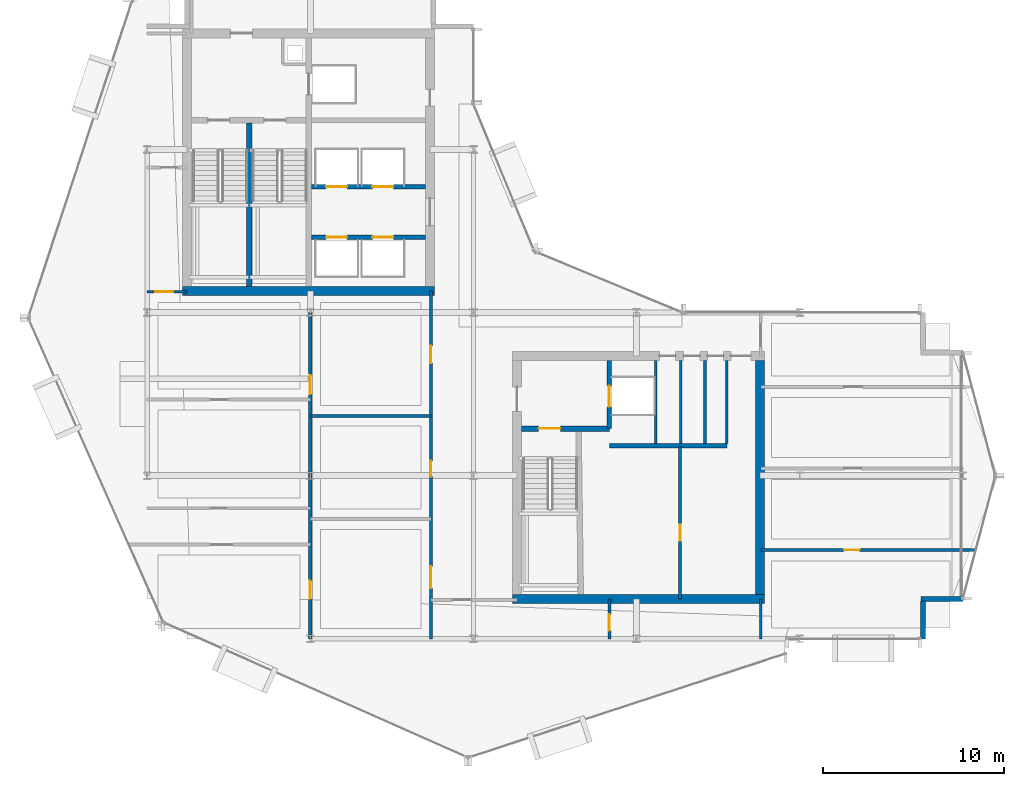
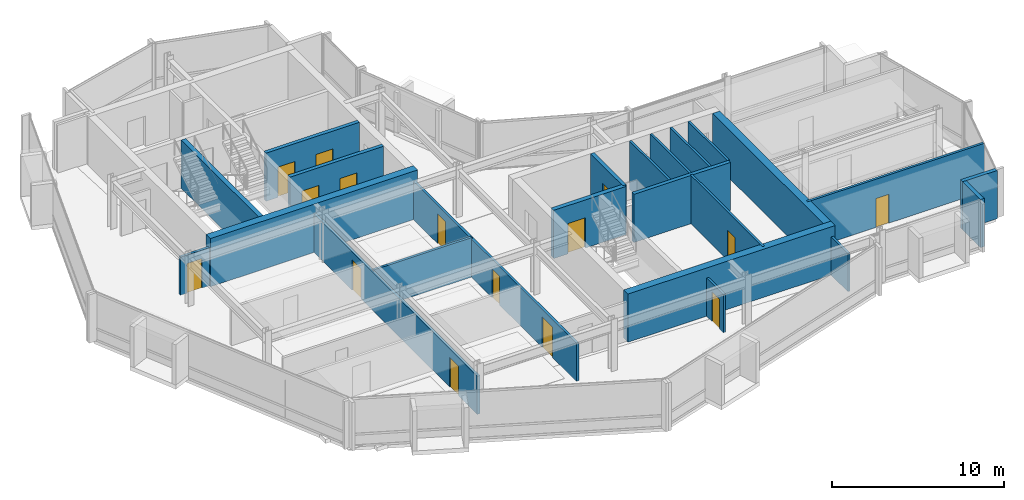
# One storey, part 20 of 28: 23 walls, 15 doors, 15 openings.
"""IFC4 building model written with IfcOpenShell, lengths in metres."""

from ifc_helpers import new_model, si_unit, direction, frame, frame_2d, origin, place, context, subcontext, project, spatial, rectangle, extrude, material, layer, layer_set, type_object, element, fill, save


model = new_model("IFC4")

# Units and contexts
model_context = context("Model", 3, precision=1e-05, world=origin(), true_north=direction((0.0, 1.0)))
body_context = subcontext(model_context, "Body", "Model", "MODEL_VIEW")
ifc_project = project(units=[si_unit("LENGTHUNIT", "METRE"), si_unit("AREAUNIT", "SQUARE_METRE"), si_unit("VOLUMEUNIT", "CUBIC_METRE"), si_unit("PLANEANGLEUNIT", "RADIAN"), si_unit("MASSUNIT", "GRAM", prefix="KILO")], contexts=[model_context])

# Site, building, storey
site_placement = place(None, origin())
site = spatial("IfcSite", under=ifc_project, at=site_placement, CompositionType="ELEMENT")
building_placement = place(site_placement, origin())
building = spatial("IfcBuilding", under=site, at=building_placement, Name="Solvaryn Broadcast Tower", CompositionType="ELEMENT")
storey_placement = place(building_placement, frame((0.0, 0.0, 213.60009765625)))
storey = spatial("IfcBuildingStorey", under=building, at=storey_placement, Name="L53", CompositionType="ELEMENT", Elevation=213.60009765625)

# Walls
ifc_material_1 = material(Name="Concrete f'c 70 MPa", Category="concrete")
ifc_layer_1 = layer(ifc_material_1, 0.5)
ifc_layer_set_1 = layer_set([ifc_layer_1], Name="CW-SHEAR-500")
wall_type_1 = type_object("IfcWallType", Name="CW-SHEAR-500", PredefinedType="SHEAR", material=ifc_layer_set_1)
for number, where, z_axis, x_axis, name in (
    (1, (10.949951171875, 28.199951171875, 0.0), (0.0, 0.0, 1.0), (1.0, 0.0, 0.0), "L53 West Core South Shear Wall"),
    (2, (29.14990234375, 11.199951171875, 0.0), (0.0, 0.0, 1.0), (1.0, 0.0, 0.0), "L53 East Core South Shear Wall"),
):
    element("IfcWall", number, at=place(storey_placement, frame(where, z_axis=z_axis, x_axis=x_axis)), inside=storey, type_object=wall_type_1, Name=name, PredefinedType="SHEAR", context=body_context, shape_type="SweptSolid", body=[
        extrude(rectangle(XDim=13.900146484375, YDim=0.5, at=frame_2d((6.9501953125, 0.0))), origin(), (0.0, 0.0, 1.0), 3.419921875),
    ])
wall_1_placement = place(storey_placement, frame((42.800048828125, 11.449951171875, 0.0), z_axis=(0.0, 0.0, 1.0), x_axis=(0.0, 1.0, 0.0)))
element("IfcWall", 3, at=wall_1_placement, inside=storey, type_object=wall_type_1, Name="L53 East Core East Shear Wall", PredefinedType="SHEAR", context=body_context, shape_type="SweptSolid", body=[
    extrude(rectangle(XDim=12.900146484375, YDim=0.5, at=frame_2d((6.4501953125, 0.0))), origin(), (0.0, 0.0, 1.0), 3.419921875),
])
ifc_material_2 = material(Name="Concrete f'c 50 MPa", Category="concrete")
ifc_layer_2 = layer(ifc_material_2, 0.260009765625)
ifc_layer_set_2 = layer_set([ifc_layer_2], Name="EW-PIER-260")
wall_type_2 = type_object("IfcWallType", Name="EW-PIER-260", PredefinedType="SOLIDWALL", material=ifc_layer_set_2)
wall_2_placement = place(storey_placement, frame((51.800048828125, 9.0, 0.0), z_axis=(0.0, 0.0, 1.0), x_axis=(0.0, 1.0, 0.0)))
element("IfcWall", 4, at=wall_2_placement, inside=storey, type_object=wall_type_2, Name="L53 Notched Corner Pier Wall NSE1", PredefinedType="SOLIDWALL", context=body_context, shape_type="SweptSolid", body=[
    extrude(rectangle(XDim=2.080078125, YDim=0.260009765625, at=frame_2d((1.0400390625, 0.0))), origin(), (0.0, 0.0, 1.0), 3.419921875),
])
wall_3_placement = place(storey_placement, frame((51.679931640625, 11.199951171875, 0.0), z_axis=(0.0, 0.0, 1.0), x_axis=(1.0, 0.0, 0.0)))
element("IfcWall", 5, at=wall_3_placement, inside=storey, type_object=wall_type_2, Name="L53 Notched Corner Pier Wall NSE2", PredefinedType="SOLIDWALL", context=body_context, shape_type="SweptSolid", body=[
    extrude(rectangle(XDim=2.320068359375, YDim=0.260009765625, at=frame_2d((1.16015625, 0.0))), origin(), (0.0, 0.0, 1.0), 3.419921875),
])

# Wall, opening, door
ifc_material_3 = material(Name="Metal-Stud Service Core Partition")
ifc_layer_3 = layer(ifc_material_3, 0.14990234375)
ifc_layer_set_3 = layer_set([ifc_layer_3], Name="IW-PART-150")
wall_type_3 = type_object("IfcWallType", Name="IW-PART-150", PredefinedType="PARTITIONING", material=ifc_layer_set_3)
wall_4_placement = place(storey_placement, frame((38.39990234375, 11.199951171875, 0.0), z_axis=(0.0, 0.0, 1.0), x_axis=(0.0, 1.0, 0.0)))
wall_4 = element("IfcWall", 6, at=wall_4_placement, inside=storey, type_object=wall_type_3, Name="L53 Interior Partition IW-L53-RPM-V", PredefinedType="PARTITIONING", context=body_context, shape_type="SweptSolid", body=[
    extrude(rectangle(XDim=8.400146484375, YDim=0.14990234375, at=frame_2d((4.2001953125, 0.0))), origin(), (0.0, 0.0, 1.0), 3.419921875),
])
opening_1_placement = place(wall_4_placement, frame((3.199951171875, 0.0, 0.0)))
opening_1 = element("IfcOpeningElement", 7, at=opening_1_placement, cuts=wall_4, Name="Opening FD60C", PredefinedType="OPENING", context=body_context, shape_type="SweptSolid", body=[
    extrude(rectangle(XDim=0.89990234375, YDim=2.10009765625, at=frame_2d((0.449951171875, 1.050048828125))), frame((0.0, 0.0849609375, 0.0), z_axis=(0.0, -1.0, 0.0), x_axis=(1.0, 0.0, 0.0)), (0.0, 0.0, 1.0), 0.169921875),
])
ifc_material_4 = material(Name="Flush Acoustic Steel and Timber Door Assembly", Category="steel")
door_type_1 = type_object("IfcDoorType", Name="FD60-SERV-900X2100", OperationType="NOTDEFINED", PredefinedType="DOOR", material=ifc_material_4)
door_1_placement = place(opening_1_placement, origin())
door_1 = element("IfcDoor", 8, at=door_1_placement, inside=storey, type_object=door_type_1, Name="L53 Door DR-L53-RPM1", OperationType="SINGLE_SWING_RIGHT", OverallHeight=2.10009765625, OverallWidth=0.89990234375, PredefinedType="DOOR", context=body_context, shape_type="SweptSolid", body=[
    extrude(rectangle(XDim=0.89990234375, YDim=2.10009765625, at=frame_2d((0.449951171875, 1.050048828125))), frame((0.0, 0.02490234375, 0.0), z_axis=(0.0, -1.0, 0.0), x_axis=(1.0, 0.0, 0.0)), (0.0, 0.0, 1.0), 0.050048828125),
])
fill(opening_1, door_1)

# Walls
for number, where, z_axis, x_axis, name in (
    (9, (37.050048828125, 19.780029296875, 0.0), (0.0, 0.0, 1.0), (0.0, 1.0, 0.0), "L53 Interior Partition IW-L53-CE-FL2E"),
    (10, (38.43994140625, 19.780029296875, 0.0), (0.0, 0.0, 1.0), (0.0, 1.0, 0.0), "L53 Interior Partition IW-L53-CE-V1"),
    (11, (39.77001953125, 19.780029296875, 0.0), (0.0, 0.0, 1.0), (0.0, 1.0, 0.0), "L53 Interior Partition IW-L53-CE-V2"),
    (12, (40.97998046875, 19.780029296875, 0.0), (0.0, 0.0, 1.0), (0.0, 1.0, 0.0), "L53 Interior Partition IW-L53-CE-V3"),
):
    element("IfcWall", number, at=place(storey_placement, frame(where, z_axis=z_axis, x_axis=x_axis)), inside=storey, type_object=wall_type_3, Name=name, PredefinedType="PARTITIONING", context=body_context, shape_type="SweptSolid", body=[
        extrude(rectangle(XDim=4.570068359375, YDim=0.14990234375, at=frame_2d((2.28515625, 0.0))), origin(), (0.0, 0.0, 1.0), 3.419921875),
    ])

# Wall, opening, door
wall_5_placement = place(storey_placement, frame((34.5, 9.0, 0.0), z_axis=(0.0, 0.0, 1.0), x_axis=(0.0, 1.0, 0.0)))
wall_5 = element("IfcWall", 13, at=wall_5_placement, inside=storey, type_object=wall_type_3, Name="L53 Interior Partition IW-L53-SC-V", PredefinedType="PARTITIONING", context=body_context, shape_type="SweptSolid", body=[
    extrude(rectangle(XDim=2.199951171875, YDim=0.14990234375, at=frame_2d((1.10009765625, 0.0))), origin(), (0.0, 0.0, 1.0), 2.706787109375),
])
opening_2_placement = place(wall_5_placement, frame((0.449951171875, 0.0, 0.0)))
opening_2 = element("IfcOpeningElement", 14, at=opening_2_placement, cuts=wall_5, Name="Opening FD60C", PredefinedType="OPENING", context=body_context, shape_type="SweptSolid", body=[
    extrude(rectangle(XDim=0.89990234375, YDim=2.10009765625, at=frame_2d((0.449951171875, 1.050048828125))), frame((0.0, 0.0849609375, 0.0), z_axis=(0.0, -1.0, 0.0), x_axis=(1.0, 0.0, 0.0)), (0.0, 0.0, 1.0), 0.169921875),
])
door_2_placement = place(opening_2_placement, origin())
door_2 = element("IfcDoor", 15, at=door_2_placement, inside=storey, type_object=door_type_1, Name="L53 Door DR-L53-SC1", OperationType="SINGLE_SWING_RIGHT", OverallHeight=2.10009765625, OverallWidth=0.89990234375, PredefinedType="DOOR", context=body_context, shape_type="SweptSolid", body=[
    extrude(rectangle(XDim=0.89990234375, YDim=2.10009765625, at=frame_2d((0.449951171875, 1.050048828125))), frame((0.0, 0.02490234375, 0.0), z_axis=(0.0, -1.0, 0.0), x_axis=(1.0, 0.0, 0.0)), (0.0, 0.0, 1.0), 0.050048828125),
])
fill(opening_2, door_2)

ifc_material_5 = material(Name="Metal-Stud Gypsum Office Partition")
ifc_layer_4 = layer(ifc_material_5, 0.159912109375)
ifc_layer_set_4 = layer_set([ifc_layer_4], Name="IW-PART-160")
wall_type_4 = type_object("IfcWallType", Name="IW-PART-160", PredefinedType="PARTITIONING", material=ifc_layer_set_4)
wall_6_placement = place(storey_placement, frame((9.0, 28.14990234375, 0.0), z_axis=(0.0, 0.0, 1.0), x_axis=(1.0, 0.0, 0.0)))
wall_6 = element("IfcWall", 16, at=wall_6_placement, inside=storey, type_object=wall_type_4, Name="L53 Interior Partition IW-L53-WM-S", PredefinedType="PARTITIONING", context=body_context, shape_type="SweptSolid", body=[
    extrude(rectangle(XDim=2.199951171875, YDim=0.159912109375, at=frame_2d((1.10009765625, 0.0))), origin(), (0.0, 0.0, 1.0), 2.706787109375),
])
opening_3_placement = place(wall_6_placement, frame((0.449951171875, 0.0, 0.0)))
opening_3 = element("IfcOpeningElement", 17, at=opening_3_placement, cuts=wall_6, Name="Opening ID02", PredefinedType="OPENING", context=body_context, shape_type="SweptSolid", body=[
    extrude(rectangle(XDim=1.0, YDim=2.10009765625, at=frame_2d((0.5, 1.050048828125))), frame((0.0, 0.090087890625, 0.0), z_axis=(0.0, -1.0, 0.0), x_axis=(1.0, 0.0, 0.0)), (0.0, 0.0, 1.0), 0.179931640625),
])
ifc_material_6 = material(Name="Flush Acoustic Steel and Timber Door Assembly", Category="steel")
door_type_2 = type_object("IfcDoorType", Name="ID-02-1000X2100", OperationType="NOTDEFINED", PredefinedType="DOOR", material=ifc_material_6)
door_3_placement = place(opening_3_placement, origin())
door_3 = element("IfcDoor", 18, at=door_3_placement, inside=storey, type_object=door_type_2, Name="L53 Door DR-L53-WM0", OperationType="SINGLE_SWING_LEFT", OverallHeight=2.10009765625, OverallWidth=1.0, PredefinedType="DOOR", context=body_context, shape_type="SweptSolid", body=[
    extrude(rectangle(XDim=1.0, YDim=2.10009765625, at=frame_2d((0.5, 1.050048828125))), frame((0.0, 0.02490234375, 0.0), z_axis=(0.0, -1.0, 0.0), x_axis=(1.0, 0.0, 0.0)), (0.0, 0.0, 1.0), 0.050048828125),
])
fill(opening_3, door_3)

# Wall, openings, doors
wall_7_placement = place(storey_placement, frame((24.64990234375, 9.0, 0.0), z_axis=(0.0, 0.0, 1.0), x_axis=(0.0, 1.0, 0.0)))
wall_7 = element("IfcWall", 19, at=wall_7_placement, inside=storey, type_object=wall_type_4, Name="L53 Interior Partition IW-L53-SW-EB", PredefinedType="PARTITIONING", context=body_context, shape_type="SweptSolid", body=[
    extrude(rectangle(XDim=19.199951171875, YDim=0.159912109375, at=frame_2d((9.60009765625, 0.0))), origin(), (0.0, 0.0, 1.0), 2.706787109375),
])
opening_4_placement = place(wall_7_placement, frame((2.800048828125, 0.0, 0.0)))
opening_4 = element("IfcOpeningElement", 20, at=opening_4_placement, cuts=wall_7, Name="Opening ID04", PredefinedType="OPENING", context=body_context, shape_type="SweptSolid", body=[
    extrude(rectangle(XDim=1.199951171875, YDim=2.14990234375, at=frame_2d((0.60009765625, 1.074951171875))), frame((0.0, 0.090087890625, 0.0), z_axis=(0.0, -1.0, 0.0), x_axis=(1.0, 0.0, 0.0)), (0.0, 0.0, 1.0), 0.179931640625),
])
opening_5_placement = place(wall_7_placement, frame((8.949951171875, 0.0, 0.0)))
opening_5 = element("IfcOpeningElement", 21, at=opening_5_placement, cuts=wall_7, Name="Opening ID07", PredefinedType="OPENING", context=body_context, shape_type="SweptSolid", body=[
    extrude(rectangle(XDim=0.860107421875, YDim=2.050048828125, at=frame_2d((0.43017578125, 1.02490234375))), frame((0.0, 0.090087890625, 0.0), z_axis=(0.0, -1.0, 0.0), x_axis=(1.0, 0.0, 0.0)), (0.0, 0.0, 1.0), 0.179931640625),
])
opening_6_placement = place(wall_7_placement, frame((15.215087890625, 0.0, 0.0)))
opening_6 = element("IfcOpeningElement", 22, at=opening_6_placement, cuts=wall_7, Name="Opening ID01", PredefinedType="OPENING", context=body_context, shape_type="SweptSolid", body=[
    extrude(rectangle(XDim=0.949951171875, YDim=2.10009765625, at=frame_2d((0.47509765625, 1.050048828125))), frame((0.0, 0.090087890625, 0.0), z_axis=(0.0, -1.0, 0.0), x_axis=(1.0, 0.0, 0.0)), (0.0, 0.0, 1.0), 0.179931640625),
])
ifc_material_7 = material(Name="Flush Acoustic Steel and Timber Door Assembly", Category="steel")
door_type_3 = type_object("IfcDoorType", Name="ID-01-950X2100", OperationType="NOTDEFINED", PredefinedType="DOOR", material=ifc_material_7)
door_4_placement = place(opening_6_placement, origin())
door_4 = element("IfcDoor", 23, at=door_4_placement, inside=storey, type_object=door_type_3, Name="L53 Door DR-L53-SWE-3", OperationType="SINGLE_SWING_LEFT", OverallHeight=2.10009765625, OverallWidth=0.949951171875, PredefinedType="DOOR", context=body_context, shape_type="SweptSolid", body=[
    extrude(rectangle(XDim=0.949951171875, YDim=2.10009765625, at=frame_2d((0.47509765625, 1.050048828125))), frame((0.0, 0.02490234375, 0.0), z_axis=(0.0, -1.0, 0.0), x_axis=(1.0, 0.0, 0.0)), (0.0, 0.0, 1.0), 0.050048828125),
])
fill(opening_6, door_4)
ifc_material_8 = material(Name="Flush Acoustic Steel and Timber Door Assembly", Category="steel")
door_type_4 = type_object("IfcDoorType", Name="ID-04-1200X2150", OperationType="NOTDEFINED", PredefinedType="DOOR", material=ifc_material_8)
door_5_placement = place(opening_4_placement, origin())
door_5 = element("IfcDoor", 24, at=door_5_placement, inside=storey, type_object=door_type_4, Name="L53 Door DR-L53-SWE-1", OperationType="SINGLE_SWING_LEFT", OverallHeight=2.14990234375, OverallWidth=1.199951171875, PredefinedType="DOOR", context=body_context, shape_type="SweptSolid", body=[
    extrude(rectangle(XDim=1.199951171875, YDim=2.14990234375, at=frame_2d((0.60009765625, 1.074951171875))), frame((0.0, 0.02490234375, 0.0), z_axis=(0.0, -1.0, 0.0), x_axis=(1.0, 0.0, 0.0)), (0.0, 0.0, 1.0), 0.050048828125),
])
fill(opening_4, door_5)
ifc_material_9 = material(Name="Flush Acoustic Steel and Timber Door Assembly", Category="steel")
door_type_5 = type_object("IfcDoorType", Name="ID-07-860X2050", OperationType="NOTDEFINED", PredefinedType="DOOR", material=ifc_material_9)
door_6_placement = place(opening_5_placement, origin())
door_6 = element("IfcDoor", 25, at=door_6_placement, inside=storey, type_object=door_type_5, Name="L53 Door DR-L53-SWE-2", OperationType="SINGLE_SWING_RIGHT", OverallHeight=2.050048828125, OverallWidth=0.860107421875, PredefinedType="DOOR", context=body_context, shape_type="SweptSolid", body=[
    extrude(rectangle(XDim=0.860107421875, YDim=2.050048828125, at=frame_2d((0.43017578125, 1.02490234375))), frame((0.0, 0.02490234375, 0.0), z_axis=(0.0, -1.0, 0.0), x_axis=(1.0, 0.0, 0.0)), (0.0, 0.0, 1.0), 0.050048828125),
])
fill(opening_5, door_6)

# Walls
wall_8_placement = place(storey_placement, frame((18.0, 21.300048828125, 0.0), z_axis=(0.0, 0.0, 1.0), x_axis=(1.0, 0.0, 0.0)))
element("IfcWall", 26, at=wall_8_placement, inside=storey, type_object=wall_type_4, Name="L53 Interior Partition IW-L53-SWE-H2", PredefinedType="PARTITIONING", context=body_context, shape_type="SweptSolid", body=[
    extrude(rectangle(XDim=6.64990234375, YDim=0.159912109375, at=frame_2d((3.324951171875, 0.0))), origin(), (0.0, 0.0, 1.0), 2.7919921875),
])
wall_9_placement = place(storey_placement, frame((42.85009765625, 9.0, 0.0), z_axis=(0.0, 0.0, 1.0), x_axis=(0.0, 1.0, 0.0)))
element("IfcWall", 27, at=wall_9_placement, inside=storey, type_object=wall_type_4, Name="L53 Interior Partition IW-L53-SC-E", PredefinedType="PARTITIONING", context=body_context, shape_type="SweptSolid", body=[
    extrude(rectangle(XDim=2.199951171875, YDim=0.159912109375, at=frame_2d((1.10009765625, 0.0))), origin(), (0.0, 0.0, 1.0), 2.706787109375),
])

# Wall, opening, door
wall_10_placement = place(storey_placement, frame((42.85009765625, 13.89990234375, 0.0), z_axis=(0.0, 0.0, 1.0), x_axis=(1.0, 0.0, 0.0)))
wall_10 = element("IfcWall", 28, at=wall_10_placement, inside=storey, type_object=wall_type_4, Name="L53 Interior Partition IW-L53-EW-H1", PredefinedType="PARTITIONING", context=body_context, shape_type="SweptSolid", body=[
    extrude(rectangle(XDim=11.864990234375, YDim=0.159912109375, at=frame_2d((5.9326171875, 0.0))), origin(), (0.0, 0.0, 1.0), 3.419921875),
])
opening_7_placement = place(wall_10_placement, frame((4.60009765625, 0.0, 0.0)))
opening_7 = element("IfcOpeningElement", 29, at=opening_7_placement, cuts=wall_10, Name="Opening ID07", PredefinedType="OPENING", context=body_context, shape_type="SweptSolid", body=[
    extrude(rectangle(XDim=0.860107421875, YDim=2.050048828125, at=frame_2d((0.43017578125, 1.02490234375))), frame((0.0, 0.090087890625, 0.0), z_axis=(0.0, -1.0, 0.0), x_axis=(1.0, 0.0, 0.0)), (0.0, 0.0, 1.0), 0.179931640625),
])
door_7_placement = place(opening_7_placement, origin())
door_7 = element("IfcDoor", 30, at=door_7_placement, inside=storey, type_object=door_type_5, Name="L53 Door DR-L53-EW-1", OperationType="SINGLE_SWING_RIGHT", OverallHeight=2.050048828125, OverallWidth=0.860107421875, PredefinedType="DOOR", context=body_context, shape_type="SweptSolid", body=[
    extrude(rectangle(XDim=0.860107421875, YDim=2.050048828125, at=frame_2d((0.43017578125, 1.02490234375))), frame((0.0, 0.02490234375, 0.0), z_axis=(0.0, -1.0, 0.0), x_axis=(1.0, 0.0, 0.0)), (0.0, 0.0, 1.0), 0.050048828125),
])
fill(opening_7, door_7)

# Wall, openings, doors
ifc_material_10 = material(Name="Acoustic Metal-Stud Gypsum Partition")
ifc_layer_5 = layer(ifc_material_10, 0.179931640625)
ifc_layer_set_5 = layer_set([ifc_layer_5], Name="IW-PART-180")
wall_type_5 = type_object("IfcWallType", Name="IW-PART-180", PredefinedType="PARTITIONING", material=ifc_layer_set_5)
wall_11_placement = place(storey_placement, frame((18.0, 9.0, 0.0), z_axis=(0.0, 0.0, 1.0), x_axis=(0.0, 1.0, 0.0)))
wall_11 = element("IfcWall", 31, at=wall_11_placement, inside=storey, type_object=wall_type_5, Name="L53 Interior Partition IW-L53-SW-VX", PredefinedType="PARTITIONING", context=body_context, shape_type="SweptSolid", body=[
    extrude(rectangle(XDim=19.1298828125, YDim=0.179931640625, at=frame_2d((9.56494140625, 0.0))), origin(), (0.0, 0.0, 1.0), 2.706787109375),
])
opening_8_placement = place(wall_11_placement, frame((2.199951171875, 0.0, 0.0)))
opening_8 = element("IfcOpeningElement", 32, at=opening_8_placement, cuts=wall_11, Name="Opening ID02", PredefinedType="OPENING", context=body_context, shape_type="SweptSolid", body=[
    extrude(rectangle(XDim=1.0, YDim=2.10009765625, at=frame_2d((0.5, 1.050048828125))), frame((0.0, 0.099853515625, 0.0), z_axis=(0.0, -1.0, 0.0), x_axis=(1.0, 0.0, 0.0)), (0.0, 0.0, 1.0), 0.199951171875),
])
opening_9_placement = place(wall_11_placement, frame((13.5, 0.0, 0.0)))
opening_9 = element("IfcOpeningElement", 33, at=opening_9_placement, cuts=wall_11, Name="Opening ID03", PredefinedType="OPENING", context=body_context, shape_type="SweptSolid", body=[
    extrude(rectangle(XDim=1.050048828125, YDim=2.14990234375, at=frame_2d((0.52490234375, 1.074951171875))), frame((0.0, 0.099853515625, 0.0), z_axis=(0.0, -1.0, 0.0), x_axis=(1.0, 0.0, 0.0)), (0.0, 0.0, 1.0), 0.199951171875),
])
door_8_placement = place(opening_8_placement, origin())
door_8 = element("IfcDoor", 34, at=door_8_placement, inside=storey, type_object=door_type_2, Name="L53 Door DR-L53-SWW-X1", OperationType="SINGLE_SWING_RIGHT", OverallHeight=2.10009765625, OverallWidth=1.0, PredefinedType="DOOR", context=body_context, shape_type="SweptSolid", body=[
    extrude(rectangle(XDim=1.0, YDim=2.10009765625, at=frame_2d((0.5, 1.050048828125))), frame((0.0, 0.02490234375, 0.0), z_axis=(0.0, -1.0, 0.0), x_axis=(1.0, 0.0, 0.0)), (0.0, 0.0, 1.0), 0.050048828125),
])
fill(opening_8, door_8)
ifc_material_11 = material(Name="Flush Acoustic Steel and Timber Door Assembly", Category="steel")
door_type_6 = type_object("IfcDoorType", Name="ID-03-1050X2150", OperationType="NOTDEFINED", PredefinedType="DOOR", material=ifc_material_11)
door_9_placement = place(opening_9_placement, origin())
door_9 = element("IfcDoor", 35, at=door_9_placement, inside=storey, type_object=door_type_6, Name="L53 Door DR-L53-SWW-X2", OperationType="SINGLE_SWING_LEFT", OverallHeight=2.14990234375, OverallWidth=1.050048828125, PredefinedType="DOOR", context=body_context, shape_type="SweptSolid", body=[
    extrude(rectangle(XDim=1.050048828125, YDim=2.14990234375, at=frame_2d((0.52490234375, 1.074951171875))), frame((0.0, 0.02490234375, 0.0), z_axis=(0.0, -1.0, 0.0), x_axis=(1.0, 0.0, 0.0)), (0.0, 0.0, 1.0), 0.050048828125),
])
fill(opening_9, door_9)

ifc_material_12 = material(Name="Concrete f'c 60 MPa", Category="concrete")
ifc_layer_6 = layer(ifc_material_12, 0.25)
ifc_layer_set_6 = layer_set([ifc_layer_6], Name="SW-SHAFT-250")
wall_type_6 = type_object("IfcWallType", Name="SW-SHAFT-250", PredefinedType="PARTITIONING", material=ifc_layer_set_6)
wall_12_placement = place(storey_placement, frame((18.070068359375, 31.14990234375, 0.0), z_axis=(0.0, 0.0, 1.0), x_axis=(1.0, 0.0, 0.0)))
wall_12 = element("IfcWall", 36, at=wall_12_placement, inside=storey, type_object=wall_type_6, Name="L53 High-Rise Lift Bank South Wall", PredefinedType="PARTITIONING", context=body_context, shape_type="SweptSolid", body=[
    extrude(rectangle(XDim=6.280029296875, YDim=0.25, at=frame_2d((3.14013671875, 0.0))), origin(), (0.0, 0.0, 1.0), 3.419921875),
])
opening_10_placement = place(wall_12_placement, frame((0.804931640625, 0.0, 0.0)))
opening_10 = element("IfcOpeningElement", 37, at=opening_10_placement, cuts=wall_12, Name="Opening LD01", PredefinedType="OPENING", context=body_context, shape_type="SweptSolid", body=[
    extrude(rectangle(XDim=1.14990234375, YDim=2.14990234375, at=frame_2d((0.574951171875, 1.074951171875))), frame((0.0, 0.135009765625, 0.0), z_axis=(0.0, -1.0, 0.0), x_axis=(1.0, 0.0, 0.0)), (0.0, 0.0, 1.0), 0.27001953125),
])
opening_11_placement = place(wall_12_placement, frame((3.35498046875, 0.0, 0.0)))
opening_11 = element("IfcOpeningElement", 38, at=opening_11_placement, cuts=wall_12, Name="Opening LD01", PredefinedType="OPENING", context=body_context, shape_type="SweptSolid", body=[
    extrude(rectangle(XDim=1.14990234375, YDim=2.14990234375, at=frame_2d((0.574951171875, 1.074951171875))), frame((0.0, 0.135009765625, 0.0), z_axis=(0.0, -1.0, 0.0), x_axis=(1.0, 0.0, 0.0)), (0.0, 0.0, 1.0), 0.27001953125),
])
ifc_material_13 = material(Name="Flush Acoustic Steel and Timber Door Assembly", Category="steel")
door_type_7 = type_object("IfcDoorType", Name="LD-LIFT-1150X2150", OperationType="NOTDEFINED", PredefinedType="DOOR", material=ifc_material_13)
door_10_placement = place(opening_10_placement, origin())
door_10 = element("IfcDoor", 39, at=door_10_placement, inside=storey, type_object=door_type_7, Name="L53 PH1 Lift Landing Door", OperationType="DOUBLE_DOOR_SLIDING", OverallHeight=2.14990234375, OverallWidth=1.14990234375, PredefinedType="DOOR", context=body_context, shape_type="SweptSolid", body=[
    extrude(rectangle(XDim=1.14990234375, YDim=2.14990234375, at=frame_2d((0.574951171875, 1.074951171875))), frame((0.0, 0.02490234375, 0.0), z_axis=(0.0, -1.0, 0.0), x_axis=(1.0, 0.0, 0.0)), (0.0, 0.0, 1.0), 0.050048828125),
])
fill(opening_10, door_10)
door_11_placement = place(opening_11_placement, origin())
door_11 = element("IfcDoor", 40, at=door_11_placement, inside=storey, type_object=door_type_7, Name="L53 PH2 Lift Landing Door", OperationType="DOUBLE_DOOR_SLIDING", OverallHeight=2.14990234375, OverallWidth=1.14990234375, PredefinedType="DOOR", context=body_context, shape_type="SweptSolid", body=[
    extrude(rectangle(XDim=1.14990234375, YDim=2.14990234375, at=frame_2d((0.574951171875, 1.074951171875))), frame((0.0, 0.02490234375, 0.0), z_axis=(0.0, -1.0, 0.0), x_axis=(1.0, 0.0, 0.0)), (0.0, 0.0, 1.0), 0.050048828125),
])
fill(opening_11, door_11)

wall_13_placement = place(storey_placement, frame((24.35009765625, 33.949951171875, 0.0), z_axis=(0.0, 0.0, 1.0), x_axis=(-1.0, 0.0, 0.0)))
wall_13 = element("IfcWall", 41, at=wall_13_placement, inside=storey, type_object=wall_type_6, Name="L53 High-Rise Lift Bank North Wall", PredefinedType="PARTITIONING", context=body_context, shape_type="SweptSolid", body=[
    extrude(rectangle(XDim=6.280029296875, YDim=0.25, at=frame_2d((3.14013671875, 0.0))), origin(), (0.0, 0.0, 1.0), 3.419921875),
])
opening_12_placement = place(wall_13_placement, frame((4.324951171875, 0.0, 0.0)))
opening_12 = element("IfcOpeningElement", 42, at=opening_12_placement, cuts=wall_13, Name="Opening LD01", PredefinedType="OPENING", context=body_context, shape_type="SweptSolid", body=[
    extrude(rectangle(XDim=1.14990234375, YDim=2.14990234375, at=frame_2d((0.574951171875, 1.074951171875))), frame((0.0, 0.135009765625, 0.0), z_axis=(0.0, -1.0, 0.0), x_axis=(1.0, 0.0, 0.0)), (0.0, 0.0, 1.0), 0.27001953125),
])
opening_13_placement = place(wall_13_placement, frame((1.77490234375, 0.0, 0.0)))
opening_13 = element("IfcOpeningElement", 43, at=opening_13_placement, cuts=wall_13, Name="Opening LD01", PredefinedType="OPENING", context=body_context, shape_type="SweptSolid", body=[
    extrude(rectangle(XDim=1.14990234375, YDim=2.14990234375, at=frame_2d((0.574951171875, 1.074951171875))), frame((0.0, 0.135009765625, 0.0), z_axis=(0.0, -1.0, 0.0), x_axis=(1.0, 0.0, 0.0)), (0.0, 0.0, 1.0), 0.27001953125),
])
door_12_placement = place(opening_12_placement, origin())
door_12 = element("IfcDoor", 44, at=door_12_placement, inside=storey, type_object=door_type_7, Name="L53 PH3 Lift Landing Door", OperationType="DOUBLE_DOOR_SLIDING", OverallHeight=2.14990234375, OverallWidth=1.14990234375, PredefinedType="DOOR", context=body_context, shape_type="SweptSolid", body=[
    extrude(rectangle(XDim=1.14990234375, YDim=2.14990234375, at=frame_2d((0.574951171875, 1.074951171875))), frame((0.0, 0.02490234375, 0.0), z_axis=(0.0, -1.0, 0.0), x_axis=(1.0, 0.0, 0.0)), (0.0, 0.0, 1.0), 0.050048828125),
])
fill(opening_12, door_12)
door_13_placement = place(opening_13_placement, origin())
door_13 = element("IfcDoor", 45, at=door_13_placement, inside=storey, type_object=door_type_7, Name="L53 PH4 Lift Landing Door", OperationType="DOUBLE_DOOR_SLIDING", OverallHeight=2.14990234375, OverallWidth=1.14990234375, PredefinedType="DOOR", context=body_context, shape_type="SweptSolid", body=[
    extrude(rectangle(XDim=1.14990234375, YDim=2.14990234375, at=frame_2d((0.574951171875, 1.074951171875))), frame((0.0, 0.02490234375, 0.0), z_axis=(0.0, -1.0, 0.0), x_axis=(1.0, 0.0, 0.0)), (0.0, 0.0, 1.0), 0.050048828125),
])
fill(opening_13, door_13)

# Wall, opening, door
wall_14_placement = place(storey_placement, frame((34.5, 20.60009765625, 0.0), z_axis=(0.0, 0.0, 1.0), x_axis=(0.0, 1.0, 0.0)))
wall_14 = element("IfcWall", 46, at=wall_14_placement, inside=storey, type_object=wall_type_6, Name="L53 East FSAE Lobby East Wall", PredefinedType="PARTITIONING", context=body_context, shape_type="SweptSolid", body=[
    extrude(rectangle(XDim=3.75, YDim=0.25, at=frame_2d((1.875, 0.0))), origin(), (0.0, 0.0, 1.0), 3.419921875),
])
opening_14_placement = place(wall_14_placement, frame((1.199951171875, 0.0, 0.0)))
opening_14 = element("IfcOpeningElement", 47, at=opening_14_placement, cuts=wall_14, Name="Opening LD01", PredefinedType="OPENING", context=body_context, shape_type="SweptSolid", body=[
    extrude(rectangle(XDim=1.14990234375, YDim=2.14990234375, at=frame_2d((0.574951171875, 1.074951171875))), frame((0.0, 0.135009765625, 0.0), z_axis=(0.0, -1.0, 0.0), x_axis=(1.0, 0.0, 0.0)), (0.0, 0.0, 1.0), 0.27001953125),
])
door_14_placement = place(opening_14_placement, origin())
door_14 = element("IfcDoor", 48, at=door_14_placement, inside=storey, type_object=door_type_7, Name="L53 FL2 Lift Landing Door", OperationType="DOUBLE_DOOR_SLIDING", OverallHeight=2.14990234375, OverallWidth=1.14990234375, PredefinedType="DOOR", context=body_context, shape_type="SweptSolid", body=[
    extrude(rectangle(XDim=1.14990234375, YDim=2.14990234375, at=frame_2d((0.574951171875, 1.074951171875))), frame((0.0, 0.02490234375, 0.0), z_axis=(0.0, -1.0, 0.0), x_axis=(1.0, 0.0, 0.0)), (0.0, 0.0, 1.0), 0.050048828125),
])
fill(opening_14, door_14)

# Walls
wall_15_placement = place(storey_placement, frame((34.5, 19.64990234375, 0.0), z_axis=(0.0, 0.0, 1.0), x_axis=(1.0, 0.0, 0.0)))
element("IfcWall", 49, at=wall_15_placement, inside=storey, type_object=wall_type_6, Name="L53 East Core Restroom South Wall", PredefinedType="PARTITIONING", context=body_context, shape_type="SweptSolid", body=[
    extrude(rectangle(XDim=6.47998046875, YDim=0.25, at=frame_2d((3.239990234375, 0.0))), origin(), (0.0, 0.0, 1.0), 3.419921875),
])
ifc_material_14 = material(Name="Concrete f'c 70 MPa", Category="concrete")
ifc_layer_7 = layer(ifc_material_14, 0.300048828125)
ifc_layer_set_7 = layer_set([ifc_layer_7], Name="SW-SHAFT-300")
wall_type_7 = type_object("IfcWallType", Name="SW-SHAFT-300", PredefinedType="SHEAR", material=ifc_layer_set_7)
wall_16_placement = place(storey_placement, frame((14.6201171875, 28.449951171875, 0.0), z_axis=(0.0, 0.0, 1.0), x_axis=(0.0, 1.0, 0.0)))
element("IfcWall", 50, at=wall_16_placement, inside=storey, type_object=wall_type_7, Name="L53 Stair 1-2 Dividing Wall", PredefinedType="SHEAR", context=body_context, shape_type="SweptSolid", body=[
    extrude(rectangle(XDim=9.0, YDim=0.300048828125, at=frame_2d((4.5, 0.0))), origin(), (0.0, 0.0, 1.0), 3.419921875),
])

# Wall, opening, door
wall_17_placement = place(storey_placement, frame((34.5, 20.60009765625, 0.0), z_axis=(0.0, 0.0, 1.0), x_axis=(-1.0, 0.0, 0.0)))
wall_17 = element("IfcWall", 51, at=wall_17_placement, inside=storey, type_object=wall_type_7, Name="L53 East FSAE Lobby South Wall", PredefinedType="SHEAR", context=body_context, shape_type="SweptSolid", body=[
    extrude(rectangle(XDim=4.85009765625, YDim=0.300048828125, at=frame_2d((2.425048828125, 0.0))), origin(), (0.0, 0.0, 1.0), 3.419921875),
])
opening_15_placement = place(wall_17_placement, frame((2.699951171875, 0.0, 0.0)))
opening_15 = element("IfcOpeningElement", 52, at=opening_15_placement, cuts=wall_17, Name="Opening FD90A", PredefinedType="OPENING", context=body_context, shape_type="SweptSolid", body=[
    extrude(rectangle(XDim=1.199951171875, YDim=2.14990234375, at=frame_2d((0.60009765625, 1.074951171875))), frame((0.0, 0.159912109375, 0.0), z_axis=(0.0, -1.0, 0.0), x_axis=(1.0, 0.0, 0.0)), (0.0, 0.0, 1.0), 0.320068359375),
])
ifc_material_15 = material(Name="Flush Acoustic Steel and Timber Door Assembly", Category="steel")
door_type_8 = type_object("IfcDoorType", Name="FD90-STAIR-1200X2150", OperationType="NOTDEFINED", PredefinedType="DOOR", material=ifc_material_15)
door_15_placement = place(opening_15_placement, origin())
door_15 = element("IfcDoor", 53, at=door_15_placement, inside=storey, type_object=door_type_8, Name="L53 Stair 3 Fire Door", OperationType="SINGLE_SWING_LEFT", OverallHeight=2.14990234375, OverallWidth=1.199951171875, PredefinedType="DOOR", context=body_context, shape_type="SweptSolid", body=[
    extrude(rectangle(XDim=1.199951171875, YDim=2.14990234375, at=frame_2d((0.60009765625, 1.074951171875))), frame((0.0, 0.02490234375, 0.0), z_axis=(0.0, -1.0, 0.0), x_axis=(1.0, 0.0, 0.0)), (0.0, 0.0, 1.0), 0.050048828125),
])
fill(opening_15, door_15)

save(model, "model.ifc")
